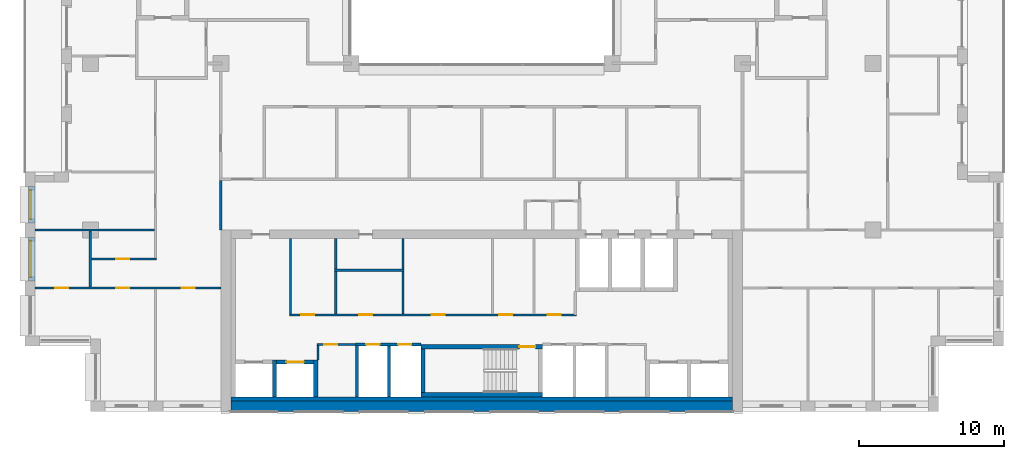
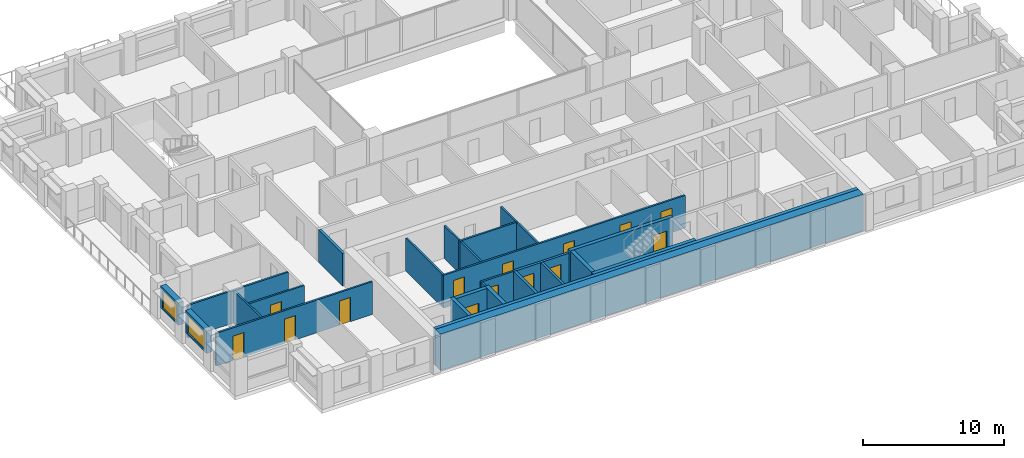
# One storey, part 8 of 16: 27 walls, 14 doors, 2 windows, 16 openings.
"""IFC4 building model written with IfcOpenShell, lengths in metres."""

import ifcopenshell
import ifcopenshell.guid

model = None  # the IFC model being written
_history = None  # IfcOwnerHistory: only IFC2X3 demands one
_inside = {}  # id of a spatial element -> (the spatial element, [elements in it])
_under = {}  # id of a project, library or spatial element -> (it, [spatial elements below it])
_declared = {}  # id of a project -> (the project, [libraries it declares])
_typed = {}  # id of a type object -> (the type object, [elements of that type])
_made_of = {}  # id of a material, layer set ... -> (it, [elements and type objects made of it])


def new_model(schema):
    """Start an empty IFC model of exactly this schema.

    Asked for "IFC4X3", IfcOpenShell would pick the latest addendum, in which some entities
    have other attributes; the version numbers below select the first issue.
    IFC2X3 requires an IfcOwnerHistory on every rooted entity: one is made here for all.
    """
    global model, _history
    if schema == "IFC4X3":
        model = ifcopenshell.file(schema_version=(4, 3, 0, 0))
    else:
        model = ifcopenshell.file(schema=schema)
    _inside.clear()
    _under.clear()
    _declared.clear()
    _typed.clear()
    _made_of.clear()
    _history = None
    if model.schema == "IFC2X3":
        org = make("IfcOrganization", Name="unknown")
        user = make(
            "IfcPersonAndOrganization",
            ThePerson=make("IfcPerson", FamilyName="unknown"),
            TheOrganization=org,
        )
        app = make(
            "IfcApplication",
            ApplicationDeveloper=org,
            Version="unknown",
            ApplicationFullName="unknown",
            ApplicationIdentifier="unknown",
        )
        _history = make(
            "IfcOwnerHistory",
            OwningUser=user,
            OwningApplication=app,
            ChangeAction="ADDED",
            CreationDate=0,
        )
    return model


def make(cls, **values):
    """One entity of the class cls with the attributes given. An attribute that is None is left unset."""
    return model.create_entity(
        cls, **{name: value for name, value in values.items() if value is not None}
    )


def rooted(cls, **values):
    """An entity with a GlobalId (a new one), such as an element, a storey or a relation."""
    return make(cls, GlobalId=ifcopenshell.guid.new(), OwnerHistory=_history, **values)


def si_unit(unit_type, name, prefix=None):
    """IfcSIUnit, for example si_unit("LENGTHUNIT", "METRE", prefix="MILLI")."""
    return make("IfcSIUnit", UnitType=unit_type, Prefix=prefix, Name=name)


def assignment(units):
    """IfcUnitAssignment: the units of a project."""
    return None if units is None else make("IfcUnitAssignment", Units=units)


def point(xyz):
    """IfcCartesianPoint."""
    return None if xyz is None else make("IfcCartesianPoint", Coordinates=xyz)


def direction(xyz):
    """IfcDirection."""
    return None if xyz is None else make("IfcDirection", DirectionRatios=xyz)


def frame(location, z_axis=None, x_axis=None):
    """IfcAxis2Placement3D, a coordinate frame: its origin and axes. An axis left out is left unset."""
    return make(
        "IfcAxis2Placement3D",
        Location=point(location),
        Axis=direction(z_axis),
        RefDirection=direction(x_axis),
    )


def frame_2d(location, x_axis=None):
    """IfcAxis2Placement2D, a coordinate frame in the plane: its origin and x axis."""
    return make(
        "IfcAxis2Placement2D", Location=point(location), RefDirection=direction(x_axis)
    )


def origin():
    """The frame at (0, 0, 0) with its axes left unset."""
    return frame((0.0, 0.0, 0.0))


def place(relative_to, where):
    """IfcLocalPlacement: puts the frame where relative to a parent placement (None: the world)."""
    return make(
        "IfcLocalPlacement", PlacementRelTo=relative_to, RelativePlacement=where
    )


def context(
    kind, dimensions, precision=None, world=None, true_north=None, identifier=None
):
    """IfcGeometricRepresentationContext, for example the 3D "Model" context."""
    return make(
        "IfcGeometricRepresentationContext",
        ContextIdentifier=identifier,
        ContextType=kind,
        CoordinateSpaceDimension=dimensions,
        Precision=precision,
        WorldCoordinateSystem=world,
        TrueNorth=true_north,
    )


def subcontext(parent, identifier, kind, view, scale=None):
    """IfcGeometricRepresentationSubContext, for example "Body" below "Model"."""
    return make(
        "IfcGeometricRepresentationSubContext",
        ContextIdentifier=identifier,
        ContextType=kind,
        ParentContext=parent,
        TargetScale=scale,
        TargetView=view,
    )


def project(units=None, contexts=None):
    """IfcProject with its units and contexts."""
    return rooted(
        "IfcProject",
        Name="project",
        RepresentationContexts=contexts,
        UnitsInContext=assignment(units),
    )


def spatial(cls, under=None, at=None, **own):
    """A site, building, storey or space (cls), placed at a placement, below another one or the project."""
    s = rooted(cls, ObjectPlacement=at, **own)
    if under is not None:
        _under.setdefault(under.id(), (under, []))[1].append(s)
    return s


def profile(cls, at=None, kind="AREA", **sizes):
    """A parametric profile (cls). Its sizes go by their IFC names, for example OverallWidth=200.0."""
    return make(cls, ProfileType=kind, Position=at, **sizes)


def rectangle(**sizes):
    """IfcRectangleProfileDef."""
    return profile("IfcRectangleProfileDef", **sizes)


def extrude(swept, where, along, depth):
    """IfcExtrudedAreaSolid: the profile swept, set in the frame where, extruded along a direction by depth."""
    return make(
        "IfcExtrudedAreaSolid",
        SweptArea=swept,
        Position=where,
        ExtrudedDirection=direction(along),
        Depth=depth,
    )


def shape(context_of_items, identifier, shape_type, items):
    """IfcShapeRepresentation: the items that make up one representation, for example the "Body"."""
    return make(
        "IfcShapeRepresentation",
        ContextOfItems=context_of_items,
        RepresentationIdentifier=identifier,
        RepresentationType=shape_type,
        Items=items,
    )


def material(Name=None, Category=None):
    """IfcMaterial."""
    return make("IfcMaterial", Name=Name, Category=Category)


def layer(
    of_material, thickness, ventilated=None, Name=None, Category=None, Priority=None
):
    """IfcMaterialLayer: one layer of a wall or slab, of a material (None: an air gap)."""
    return make(
        "IfcMaterialLayer",
        Material=of_material,
        LayerThickness=thickness,
        IsVentilated=ventilated,
        Name=Name,
        Category=Category,
        Priority=Priority,
    )


def layer_set(layers, Name=None):
    """IfcMaterialLayerSet."""
    return make("IfcMaterialLayerSet", MaterialLayers=layers, LayerSetName=Name)


def made_of(thing, what):
    """Note that an element or type object is made of a material, layer set ...; save() writes the relation."""
    if what is not None:
        _made_of.setdefault(what.id(), (what, []))[1].append(thing)
    return thing


def type_object(cls, material=None, **own):
    """A type object (cls), such as IfcWallType, which elements share."""
    return made_of(rooted(cls, **own), material)


def element(
    cls,
    number,
    at=None,
    inside=None,
    cuts=None,
    type_object=None,
    material=None,
    context=None,
    identifier="Body",
    shape_type=None,
    held_by="IfcProductDefinitionShape",
    body=None,
    shapes=None,
    **own,
):
    """One element of the class cls, such as IfcWall. Its Tag is "e" and its number.

    at: its placement. inside: the storey or other place that contains it. cuts: it is an
    opening in that element (IfcRelVoidsElement). A single representation is given by context,
    identifier, shape_type and body (its items); several are given by shapes. held_by: the class
    of the entity that holds the representations. save() writes the other relations.
    """
    e = rooted(cls, Tag="e%d" % number, ObjectPlacement=at, **own)
    if body is not None:
        shapes = [shape(context, identifier, shape_type, body)]
    if shapes is not None:
        e.Representation = make(held_by, Representations=shapes)
    if inside is not None:
        _inside.setdefault(inside.id(), (inside, []))[1].append(e)
    if cuts is not None:
        rooted(
            "IfcRelVoidsElement", RelatingBuildingElement=cuts, RelatedOpeningElement=e
        )
    if type_object is not None:
        _typed.setdefault(type_object.id(), (type_object, []))[1].append(e)
    return made_of(e, material)


def fill(opening, filler):
    """IfcRelFillsElement: the door or window that sits in an opening."""
    return rooted(
        "IfcRelFillsElement",
        RelatingOpeningElement=opening,
        RelatedBuildingElement=filler,
    )


def aggregate(whole, parts):
    """IfcRelAggregates: a whole, such as a stair, and the parts it consists of."""
    return rooted("IfcRelAggregates", RelatingObject=whole, RelatedObjects=parts)


def save(model, path):
    """Write the relations noted so far, then the file.

    IfcRelAggregates (storeys below a building ...), IfcRelContainedInSpatialStructure (elements
    in a storey), IfcRelDefinesByType, IfcRelAssociatesMaterial and IfcRelDeclares: one each for
    every whole, place, type object, material and project.
    """
    for whole, parts in _under.values():
        aggregate(whole, parts)
    for where, things in _inside.values():
        rooted(
            "IfcRelContainedInSpatialStructure",
            RelatedElements=things,
            RelatingStructure=where,
        )
    for kind, things in _typed.values():
        rooted("IfcRelDefinesByType", RelatedObjects=things, RelatingType=kind)
    for what, things in _made_of.values():
        rooted("IfcRelAssociatesMaterial", RelatedObjects=things, RelatingMaterial=what)
    for by, libraries in _declared.values():
        rooted("IfcRelDeclares", RelatingContext=by, RelatedDefinitions=libraries)
    model.write(path)


model = new_model("IFC4")

# Units and contexts
model_context = context("Model", 3, precision=1e-05, world=origin(), true_north=direction((0.0, 1.0)))
body_context = subcontext(model_context, "Body", "Model", "MODEL_VIEW")
ifc_project = project(units=[si_unit("LENGTHUNIT", "METRE"), si_unit("AREAUNIT", "SQUARE_METRE"), si_unit("VOLUMEUNIT", "CUBIC_METRE"), si_unit("PLANEANGLEUNIT", "RADIAN"), si_unit("MASSUNIT", "GRAM", prefix="KILO")], contexts=[model_context])

# Site, building, storey
site_placement = place(None, origin())
site = spatial("IfcSite", under=ifc_project, at=site_placement, CompositionType="ELEMENT")
building_placement = place(site_placement, origin())
building = spatial("IfcBuilding", under=site, at=building_placement, Name="Brigalow Station Residences", CompositionType="ELEMENT")
storey_placement = place(building_placement, frame((0.0, 0.0, 166.5)))
storey = spatial("IfcBuildingStorey", under=building, at=storey_placement, Name="L48", CompositionType="ELEMENT", Elevation=166.5)

# Wall, opening, window
ifc_material_1 = material(Name="Clay brick masonry", Category="masonry")
ifc_layer_1 = layer(ifc_material_1, 0.449951171875)
ifc_layer_set_1 = layer_set([ifc_layer_1], Name="BRICK INFILL WALL 450")
wall_type_1 = type_object("IfcWallType", Name="BRICK INFILL WALL 450", PredefinedType="SOLIDWALL", material=ifc_layer_set_1)
wall_1_placement = place(storey_placement, frame((4.97509765625, 15.5, 0.89990234375), z_axis=(0.0, 0.0, 1.0), x_axis=(0.0, -1.0, 0.0)))
wall_1 = element("IfcWall", 1, at=wall_1_placement, inside=storey, type_object=wall_type_1, Name="L48/ewall/W-L48-45", PredefinedType="SOLIDWALL", context=body_context, shape_type="SweptSolid", body=[
    extrude(rectangle(XDim=2.5, YDim=0.449951171875, at=frame_2d((1.25, 0.0))), origin(), (0.0, 0.0, 1.0), 1.93017578125),
])
opening_1_placement = place(wall_1_placement, frame((0.25, 0.0, 0.14990234375)))
opening_1 = element("IfcOpeningElement", 2, at=opening_1_placement, cuts=wall_1, Name="Opening WT-7", PredefinedType="OPENING", context=body_context, shape_type="SweptSolid", body=[
    extrude(rectangle(XDim=2.0, YDim=1.5, at=frame_2d((1.0, 0.75))), frame((0.0, 0.23486328125, 0.0), z_axis=(0.0, -1.0, 0.0), x_axis=(1.0, 0.0, 0.0)), (0.0, 0.0, 1.0), 0.469970703125),
])
ifc_material_2 = material(Name="Anodised aluminium frame with double glazing", Category="aluminium")
window_type_1 = type_object("IfcWindowType", Name="WINDOW 2000x1500", PartitioningType="SINGLE_PANEL", PredefinedType="WINDOW", material=ifc_material_2)
window_1_placement = place(opening_1_placement, origin())
window_1 = element("IfcWindow", 3, at=window_1_placement, inside=storey, type_object=window_type_1, Name="L48/window/W-L48-45", OverallHeight=1.5, OverallWidth=2.0, PartitioningType="SINGLE_PANEL", PredefinedType="WINDOW", context=body_context, shape_type="SweptSolid", body=[
    extrude(rectangle(XDim=2.0, YDim=1.5, at=frame_2d((1.0, 0.75))), frame((0.0, -0.06494140625, 0.0), z_axis=(0.0, -1.0, 0.0), x_axis=(1.0, 0.0, 0.0)), (0.0, 0.0, 1.0), 0.06005859375),
])
fill(opening_1, window_1)

wall_2_placement = place(storey_placement, frame((4.97509765625, 12.0, 0.89990234375), z_axis=(0.0, 0.0, 1.0), x_axis=(0.0, -1.0, 0.0)))
wall_2 = element("IfcWall", 4, at=wall_2_placement, inside=storey, type_object=wall_type_1, Name="L48/ewall/W-L48-46", PredefinedType="SOLIDWALL", context=body_context, shape_type="SweptSolid", body=[
    extrude(rectangle(XDim=3.0, YDim=0.449951171875, at=frame_2d((1.5, 0.0))), origin(), (0.0, 0.0, 1.0), 1.93017578125),
])
opening_2_placement = place(wall_2_placement, frame((0.25, 0.0, 0.14990234375)))
opening_2 = element("IfcOpeningElement", 5, at=opening_2_placement, cuts=wall_2, Name="Opening WT-5", PredefinedType="OPENING", context=body_context, shape_type="SweptSolid", body=[
    extrude(rectangle(XDim=2.5, YDim=1.5, at=frame_2d((1.25, 0.75))), frame((0.0, 0.23486328125, 0.0), z_axis=(0.0, -1.0, 0.0), x_axis=(1.0, 0.0, 0.0)), (0.0, 0.0, 1.0), 0.469970703125),
])
ifc_material_3 = material(Name="Anodised aluminium frame with double glazing", Category="aluminium")
window_type_2 = type_object("IfcWindowType", Name="WINDOW 2500x1500", PartitioningType="SINGLE_PANEL", PredefinedType="WINDOW", material=ifc_material_3)
window_2_placement = place(opening_2_placement, origin())
window_2 = element("IfcWindow", 6, at=window_2_placement, inside=storey, type_object=window_type_2, Name="L48/window/W-L48-46", OverallHeight=1.5, OverallWidth=2.5, PartitioningType="SINGLE_PANEL", PredefinedType="WINDOW", context=body_context, shape_type="SweptSolid", body=[
    extrude(rectangle(XDim=2.5, YDim=1.5, at=frame_2d((1.25, 0.75))), frame((0.0, -0.06494140625, 0.0), z_axis=(0.0, -1.0, 0.0), x_axis=(1.0, 0.0, 0.0)), (0.0, 0.0, 1.0), 0.06005859375),
])
fill(opening_2, window_2)

# Wall
ifc_material_4 = material(Name="Concrete C65", Category="concrete")
ifc_layer_2 = layer(ifc_material_4, 0.300048828125)
ifc_layer_set_2 = layer_set([ifc_layer_2], Name="CORE SHEAR WALL 300 C65")
wall_type_2 = type_object("IfcWallType", Name="CORE SHEAR WALL 300 C65", PredefinedType="SHEAR", material=ifc_layer_set_2)
wall_3_placement = place(storey_placement, frame((18.699951171875, 0.85009765625, 0.0), z_axis=(0.0, 0.0, 1.0), x_axis=(1.0, 0.0, 0.0)))
element("IfcWall", 7, at=wall_3_placement, inside=storey, type_object=wall_type_2, Name="CORE WALL LIN-S L48", PredefinedType="SHEAR", context=body_context, shape_type="SweptSolid", body=[
    extrude(rectangle(XDim=34.60009765625, YDim=0.300048828125, at=frame_2d((17.300048828125, 0.0))), origin(), (0.0, 0.0, 1.0), 3.14990234375),
])

# Wall, opening, door
wall_4_placement = place(storey_placement, frame((21.85009765625, 3.39990234375, 0.0), z_axis=(0.0, 0.0, 1.0), x_axis=(1.0, 0.0, 0.0)))
wall_4 = element("IfcWall", 8, at=wall_4_placement, inside=storey, type_object=wall_type_2, Name="CORE WALL SH-C2-N L48", PredefinedType="SHEAR", context=body_context, shape_type="SweptSolid", body=[
    extrude(rectangle(XDim=2.5498046875, YDim=0.300048828125, at=frame_2d((1.27490234375, 0.0))), origin(), (0.0, 0.0, 1.0), 3.14990234375),
])
opening_3_placement = place(wall_4_placement, frame((0.675048828125, 0.0, 0.0)))
opening_3 = element("IfcOpeningElement", 9, at=opening_3_placement, cuts=wall_4, Name="Opening LD-LB2", PredefinedType="OPENING", context=body_context, shape_type="SweptSolid", body=[
    extrude(rectangle(XDim=1.199951171875, YDim=2.10009765625, at=frame_2d((0.60009765625, 1.050048828125))), frame((0.0, 0.16015625, 0.0), z_axis=(0.0, -1.0, 0.0), x_axis=(1.0, 0.0, 0.0)), (0.0, 0.0, 1.0), 0.320068359375),
])
ifc_material_5 = material(Name="Stainless steel sliding door leaves", Category="steel")
door_type_1 = type_object("IfcDoorType", Name="LIFT LANDING DOOR 1200 x 2100", OperationType="DOUBLE_DOOR_SLIDING", PredefinedType="DOOR", material=ifc_material_5)
door_1_placement = place(opening_3_placement, origin())
door_1 = element("IfcDoor", 10, at=door_1_placement, inside=storey, type_object=door_type_1, Name="LANDING DOOR LB2", OperationType="DOUBLE_DOOR_SLIDING", OverallHeight=2.10009765625, OverallWidth=1.199951171875, PredefinedType="DOOR", context=body_context, shape_type="SweptSolid", body=[
    extrude(rectangle(XDim=1.199951171875, YDim=2.10009765625, at=frame_2d((0.60009765625, 1.050048828125))), frame((0.0, 0.02490234375, 0.0), z_axis=(0.0, -1.0, 0.0), x_axis=(1.0, 0.0, 0.0)), (0.0, 0.0, 1.0), 0.050048828125),
])
fill(opening_3, door_1)

# Walls
for number, where, z_axis, x_axis, name in (
    (11, (21.699951171875, 1.0, 0.0), (0.0, 0.0, 1.0), (0.0, 1.0, 0.0), "CORE WALL SH-C2-W L48"),
    (12, (24.550048828125, 1.0, 0.0), (0.0, 0.0, 1.0), (0.0, 1.0, 0.0), "CORE WALL SH-C2-E L48"),
):
    element("IfcWall", number, at=place(storey_placement, frame(where, z_axis=z_axis, x_axis=x_axis)), inside=storey, type_object=wall_type_2, Name=name, PredefinedType="SHEAR", context=body_context, shape_type="SweptSolid", body=[
        extrude(rectangle(XDim=2.550048828125, YDim=0.300048828125, at=frame_2d((1.27490234375, 0.0))), origin(), (0.0, 0.0, 1.0), 3.14990234375),
    ])
wall_5_placement = place(storey_placement, frame((31.800048828125, 1.14990234375, 0.0), z_axis=(0.0, 0.0, 1.0), x_axis=(1.0, 0.0, 0.0)))
element("IfcWall", 13, at=wall_5_placement, inside=storey, type_object=wall_type_2, Name="CORE WALL ST-S2-S L48", PredefinedType="SHEAR", context=body_context, shape_type="SweptSolid", body=[
    extrude(rectangle(XDim=8.39990234375, YDim=0.300048828125, at=frame_2d((4.199951171875, 0.0))), origin(), (0.0, 0.0, 1.0), 3.14990234375),
])

# Wall, opening, door
wall_6_placement = place(storey_placement, frame((31.800048828125, 4.449951171875, 0.0), z_axis=(0.0, 0.0, 1.0), x_axis=(1.0, 0.0, 0.0)))
wall_6 = element("IfcWall", 14, at=wall_6_placement, inside=storey, type_object=wall_type_2, Name="CORE WALL ST-S2-N L48", PredefinedType="SHEAR", context=body_context, shape_type="SweptSolid", body=[
    extrude(rectangle(XDim=8.39990234375, YDim=0.300048828125, at=frame_2d((4.199951171875, 0.0))), origin(), (0.0, 0.0, 1.0), 3.14990234375),
])
opening_4_placement = place(wall_6_placement, frame((6.800048828125, 0.0, 0.0)))
opening_4 = element("IfcOpeningElement", 15, at=opening_4_placement, cuts=wall_6, Name="Opening D-5001", PredefinedType="OPENING", context=body_context, shape_type="SweptSolid", body=[
    extrude(rectangle(XDim=1.10009765625, YDim=2.10009765625, at=frame_2d((0.550048828125, 1.050048828125))), frame((0.0, 0.16015625, 0.0), z_axis=(0.0, -1.0, 0.0), x_axis=(1.0, 0.0, 0.0)), (0.0, 0.0, 1.0), 0.320068359375),
])
ifc_material_6 = material(Name="Steel fire door leaf in steel frame", Category="steel")
door_type_2 = type_object("IfcDoorType", Name="STAIR DOOR 1100 x 2100 FD60S", OperationType="SINGLE_SWING_LEFT", PredefinedType="DOOR", material=ifc_material_6)
door_2_placement = place(opening_4_placement, frame((1.10009765625, 0.0, 0.0), z_axis=(0.0, 0.0, 1.0), x_axis=(-1.0, 0.0, 0.0)))
door_2 = element("IfcDoor", 16, at=door_2_placement, inside=storey, type_object=door_type_2, Name="D-5001", OperationType="SINGLE_SWING_LEFT", OverallHeight=2.10009765625, OverallWidth=1.10009765625, PredefinedType="DOOR", context=body_context, shape_type="SweptSolid", body=[
    extrude(rectangle(XDim=1.10009765625, YDim=2.10009765625, at=frame_2d((0.550048828125, 1.050048828125))), frame((0.0, 0.02490234375, 0.0), z_axis=(0.0, -1.0, 0.0), x_axis=(1.0, 0.0, 0.0)), (0.0, 0.0, 1.0), 0.050048828125),
])
fill(opening_4, door_2)

# Walls
wall_7_placement = place(storey_placement, frame((31.949951171875, 1.300048828125, 0.0), z_axis=(0.0, 0.0, 1.0), x_axis=(0.0, 1.0, 0.0)))
element("IfcWall", 17, at=wall_7_placement, inside=storey, type_object=wall_type_2, Name="CORE WALL ST-S2-W L48", PredefinedType="SHEAR", context=body_context, shape_type="SweptSolid", body=[
    extrude(rectangle(XDim=3.0, YDim=0.300048828125, at=frame_2d((1.5, 0.0))), origin(), (0.0, 0.0, 1.0), 3.14990234375),
])
ifc_material_7 = material(Name="Concrete C65", Category="concrete")
ifc_layer_3 = layer(ifc_material_7, 0.699951171875)
ifc_layer_set_3 = layer_set([ifc_layer_3], Name="CORE SHEAR WALL 700 C65")
wall_type_3 = type_object("IfcWallType", Name="CORE SHEAR WALL 700 C65", PredefinedType="SHEAR", material=ifc_layer_set_3)
wall_8_placement = place(storey_placement, frame((18.699951171875, 0.35009765625, 0.0), z_axis=(0.0, 0.0, 1.0), x_axis=(1.0, 0.0, 0.0)))
element("IfcWall", 18, at=wall_8_placement, inside=storey, type_object=wall_type_3, Name="CORE WALL OUT-S L48", PredefinedType="SHEAR", context=body_context, shape_type="SweptSolid", body=[
    extrude(rectangle(XDim=34.60009765625, YDim=0.699951171875, at=frame_2d((17.300048828125, 0.0))), origin(), (0.0, 0.0, 1.0), 3.14990234375),
])

# Wall, openings, doors
ifc_material_8 = material(Name="Concrete blockwork", Category="masonry")
ifc_layer_4 = layer(ifc_material_8, 0.199951171875)
ifc_layer_set_4 = layer_set([ifc_layer_4], Name="FIRE RATED CORE PARTITION 200")
wall_type_4 = type_object("IfcWallType", Name="FIRE RATED CORE PARTITION 200", PredefinedType="PARTITIONING", material=ifc_layer_set_4)
wall_9_placement = place(storey_placement, frame((27.300048828125, 4.60009765625, 0.0), z_axis=(0.0, 0.0, 1.0), x_axis=(1.0, 0.0, 0.0)))
wall_9 = element("IfcWall", 19, at=wall_9_placement, inside=storey, type_object=wall_type_4, Name="PW-5017", PredefinedType="PARTITIONING", context=body_context, shape_type="SweptSolid", body=[
    extrude(rectangle(XDim=4.5, YDim=0.199951171875, at=frame_2d((2.25, 0.0))), origin(), (0.0, 0.0, 1.0), 2.830078125),
])
opening_5_placement = place(wall_9_placement, frame((0.75, 0.0, 0.0)))
opening_5 = element("IfcOpeningElement", 20, at=opening_5_placement, cuts=wall_9, Name="Opening D-5007", PredefinedType="OPENING", context=body_context, shape_type="SweptSolid", body=[
    extrude(rectangle(XDim=0.89990234375, YDim=2.10009765625, at=frame_2d((0.449951171875, 1.050048828125))), frame((0.0, 0.10986328125, 0.0), z_axis=(0.0, -1.0, 0.0), x_axis=(1.0, 0.0, 0.0)), (0.0, 0.0, 1.0), 0.219970703125),
])
opening_6_placement = place(wall_9_placement, frame((2.949951171875, 0.0, 0.0)))
opening_6 = element("IfcOpeningElement", 21, at=opening_6_placement, cuts=wall_9, Name="Opening D-5008", PredefinedType="OPENING", context=body_context, shape_type="SweptSolid", body=[
    extrude(rectangle(XDim=0.89990234375, YDim=2.10009765625, at=frame_2d((0.449951171875, 1.050048828125))), frame((0.0, 0.10986328125, 0.0), z_axis=(0.0, -1.0, 0.0), x_axis=(1.0, 0.0, 0.0)), (0.0, 0.0, 1.0), 0.219970703125),
])
ifc_material_9 = material(Name="Steel fire door leaf in steel frame", Category="steel")
door_type_3 = type_object("IfcDoorType", Name="RISER ACCESS DOOR 900 x 2100 FD120", OperationType="SINGLE_SWING_LEFT", PredefinedType="DOOR", material=ifc_material_9)
door_3_placement = place(opening_5_placement, frame((0.89990234375, 0.0, 0.0), z_axis=(0.0, 0.0, 1.0), x_axis=(-1.0, 0.0, 0.0)))
door_3 = element("IfcDoor", 22, at=door_3_placement, inside=storey, type_object=door_type_3, Name="D-5007", OperationType="SINGLE_SWING_RIGHT", OverallHeight=2.10009765625, OverallWidth=0.89990234375, PredefinedType="DOOR", context=body_context, shape_type="SweptSolid", body=[
    extrude(rectangle(XDim=0.89990234375, YDim=2.10009765625, at=frame_2d((0.449951171875, 1.050048828125))), frame((0.0, 0.02490234375, 0.0), z_axis=(0.0, -1.0, 0.0), x_axis=(1.0, 0.0, 0.0)), (0.0, 0.0, 1.0), 0.050048828125),
])
fill(opening_5, door_3)
door_4_placement = place(opening_6_placement, frame((0.89990234375, 0.0, 0.0), z_axis=(0.0, 0.0, 1.0), x_axis=(-1.0, 0.0, 0.0)))
door_4 = element("IfcDoor", 23, at=door_4_placement, inside=storey, type_object=door_type_3, Name="D-5008", OperationType="SINGLE_SWING_RIGHT", OverallHeight=2.10009765625, OverallWidth=0.89990234375, PredefinedType="DOOR", context=body_context, shape_type="SweptSolid", body=[
    extrude(rectangle(XDim=0.89990234375, YDim=2.10009765625, at=frame_2d((0.449951171875, 1.050048828125))), frame((0.0, 0.02490234375, 0.0), z_axis=(0.0, -1.0, 0.0), x_axis=(1.0, 0.0, 0.0)), (0.0, 0.0, 1.0), 0.050048828125),
])
fill(opening_6, door_4)

# Walls
wall_10_placement = place(storey_placement, frame((27.39990234375, 1.0, 0.0), z_axis=(0.0, 0.0, 1.0), x_axis=(0.0, 1.0, 0.0)))
element("IfcWall", 24, at=wall_10_placement, inside=storey, type_object=wall_type_4, Name="PW-5027", PredefinedType="PARTITIONING", context=body_context, shape_type="SweptSolid", body=[
    extrude(rectangle(XDim=3.52490234375, YDim=0.199951171875, at=frame_2d((1.762451171875, 0.0))), origin(), (0.0, 0.0, 1.0), 2.830078125),
])
wall_11_placement = place(storey_placement, frame((29.60009765625, 1.0, 0.0), z_axis=(0.0, 0.0, 1.0), x_axis=(0.0, 1.0, 0.0)))
element("IfcWall", 25, at=wall_11_placement, inside=storey, type_object=wall_type_4, Name="PW-5006", PredefinedType="PARTITIONING", context=body_context, shape_type="SweptSolid", body=[
    extrude(rectangle(XDim=3.5, YDim=0.199951171875, at=frame_2d((1.75, 0.0))), origin(), (0.0, 0.0, 1.0), 2.830078125),
])
wall_12_placement = place(storey_placement, frame((18.0, 12.5, 0.0), z_axis=(0.0, 0.0, 1.0), x_axis=(0.0, 1.0, 0.0)))
element("IfcWall", 26, at=wall_12_placement, inside=storey, type_object=wall_type_4, Name="PW-5013", PredefinedType="PARTITIONING", context=body_context, shape_type="SweptSolid", body=[
    extrude(rectangle(XDim=3.39990234375, YDim=0.199951171875, at=frame_2d((1.699951171875, 0.0))), origin(), (0.0, 0.0, 1.0), 2.830078125),
])

# Wall, openings, doors
ifc_material_10 = material(Name="Plasterboard on steel stud partition", Category="steel")
ifc_layer_5 = layer(ifc_material_10, 0.14990234375)
ifc_layer_set_5 = layer_set([ifc_layer_5], Name="FLAT PARTITION 150")
wall_type_5 = type_object("IfcWallType", Name="FLAT PARTITION 150", PredefinedType="PARTITIONING", material=ifc_layer_set_5)
wall_13_placement = place(storey_placement, frame((5.199951171875, 8.5, 0.0), z_axis=(0.0, 0.0, 1.0), x_axis=(1.0, 0.0, 0.0)))
wall_13 = element("IfcWall", 27, at=wall_13_placement, inside=storey, type_object=wall_type_5, Name="PW-3D08", PredefinedType="PARTITIONING", context=body_context, shape_type="SweptSolid", body=[
    extrude(rectangle(XDim=12.800048828125, YDim=0.14990234375, at=frame_2d((6.39990234375, 0.0))), origin(), (0.0, 0.0, 1.0), 2.830078125),
])
opening_7_placement = place(wall_13_placement, frame((10.10009765625, 0.0, 0.0)))
opening_7 = element("IfcOpeningElement", 28, at=opening_7_placement, cuts=wall_13, Name="Opening D-3D04", PredefinedType="OPENING", context=body_context, shape_type="SweptSolid", body=[
    extrude(rectangle(XDim=0.89990234375, YDim=2.10009765625, at=frame_2d((0.449951171875, 1.050048828125))), frame((0.0, 0.0849609375, 0.0), z_axis=(0.0, -1.0, 0.0), x_axis=(1.0, 0.0, 0.0)), (0.0, 0.0, 1.0), 0.169921875),
])
opening_8_placement = place(wall_13_placement, frame((5.60009765625, 0.0, 0.0)))
opening_8 = element("IfcOpeningElement", 29, at=opening_8_placement, cuts=wall_13, Name="Opening D-3D05", PredefinedType="OPENING", context=body_context, shape_type="SweptSolid", body=[
    extrude(rectangle(XDim=0.89990234375, YDim=2.10009765625, at=frame_2d((0.449951171875, 1.050048828125))), frame((0.0, 0.0849609375, 0.0), z_axis=(0.0, -1.0, 0.0), x_axis=(1.0, 0.0, 0.0)), (0.0, 0.0, 1.0), 0.169921875),
])
opening_9_placement = place(wall_13_placement, frame((1.375, 0.0, 0.0)))
opening_9 = element("IfcOpeningElement", 30, at=opening_9_placement, cuts=wall_13, Name="Opening D-3D06", PredefinedType="OPENING", context=body_context, shape_type="SweptSolid", body=[
    extrude(rectangle(XDim=0.89990234375, YDim=2.10009765625, at=frame_2d((0.449951171875, 1.050048828125))), frame((0.0, 0.0849609375, 0.0), z_axis=(0.0, -1.0, 0.0), x_axis=(1.0, 0.0, 0.0)), (0.0, 0.0, 1.0), 0.169921875),
])
ifc_material_11 = material(Name="Solid-core timber door leaf", Category="wood")
door_type_4 = type_object("IfcDoorType", Name="INTERNAL DOOR 900 x 2100", OperationType="SINGLE_SWING_LEFT", PredefinedType="DOOR", material=ifc_material_11)
door_5_placement = place(opening_7_placement, frame((0.89990234375, 0.0, 0.0), z_axis=(0.0, 0.0, 1.0), x_axis=(-1.0, 0.0, 0.0)))
door_5 = element("IfcDoor", 31, at=door_5_placement, inside=storey, type_object=door_type_4, Name="D-3D04", OperationType="SINGLE_SWING_RIGHT", OverallHeight=2.10009765625, OverallWidth=0.89990234375, PredefinedType="DOOR", context=body_context, shape_type="SweptSolid", body=[
    extrude(rectangle(XDim=0.89990234375, YDim=2.10009765625, at=frame_2d((0.449951171875, 1.050048828125))), frame((0.0, 0.02490234375, 0.0), z_axis=(0.0, -1.0, 0.0), x_axis=(1.0, 0.0, 0.0)), (0.0, 0.0, 1.0), 0.050048828125),
])
fill(opening_7, door_5)
door_6_placement = place(opening_8_placement, frame((0.89990234375, 0.0, 0.0), z_axis=(0.0, 0.0, 1.0), x_axis=(-1.0, 0.0, 0.0)))
door_6 = element("IfcDoor", 32, at=door_6_placement, inside=storey, type_object=door_type_4, Name="D-3D05", OperationType="SINGLE_SWING_LEFT", OverallHeight=2.10009765625, OverallWidth=0.89990234375, PredefinedType="DOOR", context=body_context, shape_type="SweptSolid", body=[
    extrude(rectangle(XDim=0.89990234375, YDim=2.10009765625, at=frame_2d((0.449951171875, 1.050048828125))), frame((0.0, 0.02490234375, 0.0), z_axis=(0.0, -1.0, 0.0), x_axis=(1.0, 0.0, 0.0)), (0.0, 0.0, 1.0), 0.050048828125),
])
fill(opening_8, door_6)
door_7_placement = place(opening_9_placement, origin())
door_7 = element("IfcDoor", 33, at=door_7_placement, inside=storey, type_object=door_type_4, Name="D-3D06", OperationType="SINGLE_SWING_LEFT", OverallHeight=2.10009765625, OverallWidth=0.89990234375, PredefinedType="DOOR", context=body_context, shape_type="SweptSolid", body=[
    extrude(rectangle(XDim=0.89990234375, YDim=2.10009765625, at=frame_2d((0.449951171875, 1.050048828125))), frame((0.0, 0.02490234375, 0.0), z_axis=(0.0, -1.0, 0.0), x_axis=(1.0, 0.0, 0.0)), (0.0, 0.0, 1.0), 0.050048828125),
])
fill(opening_9, door_7)

# Wall
wall_14_placement = place(storey_placement, frame((5.199951171875, 12.5, 0.0), z_axis=(0.0, 0.0, 1.0), x_axis=(1.0, 0.0, 0.0)))
element("IfcWall", 34, at=wall_14_placement, inside=storey, type_object=wall_type_5, Name="PW-3D10", PredefinedType="PARTITIONING", context=body_context, shape_type="SweptSolid", body=[
    extrude(rectangle(XDim=8.22509765625, YDim=0.14990234375, at=frame_2d((4.112548828125, 0.0))), origin(), (0.0, 0.0, 1.0), 2.830078125),
])

# Wall, opening, door
wall_15_placement = place(storey_placement, frame((9.074951171875, 10.5, 0.0), z_axis=(0.0, 0.0, 1.0), x_axis=(1.0, 0.0, 0.0)))
wall_15 = element("IfcWall", 35, at=wall_15_placement, inside=storey, type_object=wall_type_5, Name="PW-3D12", PredefinedType="PARTITIONING", context=body_context, shape_type="SweptSolid", body=[
    extrude(rectangle(XDim=4.5, YDim=0.14990234375, at=frame_2d((2.25, 0.0))), origin(), (0.0, 0.0, 1.0), 2.830078125),
])
opening_10_placement = place(wall_15_placement, frame((1.72509765625, 0.0, 0.0)))
opening_10 = element("IfcOpeningElement", 36, at=opening_10_placement, cuts=wall_15, Name="Opening D-3D07", PredefinedType="OPENING", context=body_context, shape_type="SweptSolid", body=[
    extrude(rectangle(XDim=0.89990234375, YDim=2.10009765625, at=frame_2d((0.449951171875, 1.050048828125))), frame((0.0, 0.0849609375, 0.0), z_axis=(0.0, -1.0, 0.0), x_axis=(1.0, 0.0, 0.0)), (0.0, 0.0, 1.0), 0.169921875),
])
door_8_placement = place(opening_10_placement, origin())
door_8 = element("IfcDoor", 37, at=door_8_placement, inside=storey, type_object=door_type_4, Name="D-3D07", OperationType="SINGLE_SWING_LEFT", OverallHeight=2.10009765625, OverallWidth=0.89990234375, PredefinedType="DOOR", context=body_context, shape_type="SweptSolid", body=[
    extrude(rectangle(XDim=0.89990234375, YDim=2.10009765625, at=frame_2d((0.449951171875, 1.050048828125))), frame((0.0, 0.02490234375, 0.0), z_axis=(0.0, -1.0, 0.0), x_axis=(1.0, 0.0, 0.0)), (0.0, 0.0, 1.0), 0.050048828125),
])
fill(opening_10, door_8)

# Wall
wall_16_placement = place(storey_placement, frame((9.0, 8.574951171875, 0.0), z_axis=(0.0, 0.0, 1.0), x_axis=(0.0, 1.0, 0.0)))
element("IfcWall", 38, at=wall_16_placement, inside=storey, type_object=wall_type_5, Name="PW-3D38", PredefinedType="PARTITIONING", context=body_context, shape_type="SweptSolid", body=[
    extrude(rectangle(XDim=3.85009765625, YDim=0.14990234375, at=frame_2d((1.925048828125, 0.0))), origin(), (0.0, 0.0, 1.0), 2.830078125),
])

# Wall, opening, door
ifc_material_12 = material(Name="Plasterboard on steel studs", Category="steel")
ifc_layer_6 = layer(ifc_material_12, 0.14990234375)
ifc_layer_set_6 = layer_set([ifc_layer_6], Name="SERVICE ROOM PARTITION 150")
wall_type_6 = type_object("IfcWallType", Name="SERVICE ROOM PARTITION 150", PredefinedType="PARTITIONING", material=ifc_layer_set_6)
wall_17_placement = place(storey_placement, frame((24.625, 4.60009765625, 0.0), z_axis=(0.0, 0.0, 1.0), x_axis=(1.0, 0.0, 0.0)))
wall_17 = element("IfcWall", 39, at=wall_17_placement, inside=storey, type_object=wall_type_6, Name="PW-5155", PredefinedType="PARTITIONING", context=body_context, shape_type="SweptSolid", body=[
    extrude(rectangle(XDim=2.675048828125, YDim=0.14990234375, at=frame_2d((1.33740234375, 0.0))), origin(), (0.0, 0.0, 1.0), 2.830078125),
])
opening_11_placement = place(wall_17_placement, frame((0.52490234375, 0.0, 0.0)))
opening_11 = element("IfcOpeningElement", 40, at=opening_11_placement, cuts=wall_17, Name="Opening D-5087", PredefinedType="OPENING", context=body_context, shape_type="SweptSolid", body=[
    extrude(rectangle(XDim=0.89990234375, YDim=2.10009765625, at=frame_2d((0.449951171875, 1.050048828125))), frame((0.0, 0.0849609375, 0.0), z_axis=(0.0, -1.0, 0.0), x_axis=(1.0, 0.0, 0.0)), (0.0, 0.0, 1.0), 0.169921875),
])
ifc_material_13 = material(Name="Steel door leaf in steel frame", Category="steel")
door_type_5 = type_object("IfcDoorType", Name="SERVICE ROOM DOOR 900 x 2100 FD60", OperationType="SINGLE_SWING_LEFT", PredefinedType="DOOR", material=ifc_material_13)
door_9_placement = place(opening_11_placement, frame((0.89990234375, 0.0, 0.0), z_axis=(0.0, 0.0, 1.0), x_axis=(-1.0, 0.0, 0.0)))
door_9 = element("IfcDoor", 41, at=door_9_placement, inside=storey, type_object=door_type_5, Name="D-5087", OperationType="SINGLE_SWING_RIGHT", OverallHeight=2.10009765625, OverallWidth=0.89990234375, PredefinedType="DOOR", context=body_context, shape_type="SweptSolid", body=[
    extrude(rectangle(XDim=0.89990234375, YDim=2.10009765625, at=frame_2d((0.449951171875, 1.050048828125))), frame((0.0, 0.02490234375, 0.0), z_axis=(0.0, -1.0, 0.0), x_axis=(1.0, 0.0, 0.0)), (0.0, 0.0, 1.0), 0.050048828125),
])
fill(opening_11, door_9)

# Wall, openings, doors
wall_18_placement = place(storey_placement, frame((22.72509765625, 6.64990234375, 0.0), z_axis=(0.0, 0.0, 1.0), x_axis=(1.0, 0.0, 0.0)))
wall_18 = element("IfcWall", 42, at=wall_18_placement, inside=storey, type_object=wall_type_6, Name="PW-5195", PredefinedType="PARTITIONING", context=body_context, shape_type="SweptSolid", body=[
    extrude(rectangle(XDim=19.7998046875, YDim=0.14990234375, at=frame_2d((9.89990234375, 0.0))), origin(), (0.0, 0.0, 1.0), 2.830078125),
])
opening_12_placement = place(wall_18_placement, frame((0.824951171875, 0.0, 0.0)))
opening_12 = element("IfcOpeningElement", 43, at=opening_12_placement, cuts=wall_18, Name="Opening D-5110", PredefinedType="OPENING", context=body_context, shape_type="SweptSolid", body=[
    extrude(rectangle(XDim=0.89990234375, YDim=2.10009765625, at=frame_2d((0.449951171875, 1.050048828125))), frame((0.0, 0.0849609375, 0.0), z_axis=(0.0, -1.0, 0.0), x_axis=(1.0, 0.0, 0.0)), (0.0, 0.0, 1.0), 0.169921875),
])
opening_13_placement = place(wall_18_placement, frame((4.824951171875, 0.0, 0.0)))
opening_13 = element("IfcOpeningElement", 44, at=opening_13_placement, cuts=wall_18, Name="Opening D-5116", PredefinedType="OPENING", context=body_context, shape_type="SweptSolid", body=[
    extrude(rectangle(XDim=0.89990234375, YDim=2.10009765625, at=frame_2d((0.449951171875, 1.050048828125))), frame((0.0, 0.0849609375, 0.0), z_axis=(0.0, -1.0, 0.0), x_axis=(1.0, 0.0, 0.0)), (0.0, 0.0, 1.0), 0.169921875),
])
opening_14_placement = place(wall_18_placement, frame((9.824951171875, 0.0, 0.0)))
opening_14 = element("IfcOpeningElement", 45, at=opening_14_placement, cuts=wall_18, Name="Opening D-5117", PredefinedType="OPENING", context=body_context, shape_type="SweptSolid", body=[
    extrude(rectangle(XDim=0.89990234375, YDim=2.10009765625, at=frame_2d((0.449951171875, 1.050048828125))), frame((0.0, 0.0849609375, 0.0), z_axis=(0.0, -1.0, 0.0), x_axis=(1.0, 0.0, 0.0)), (0.0, 0.0, 1.0), 0.169921875),
])
opening_15_placement = place(wall_18_placement, frame((14.47509765625, 0.0, 0.0)))
opening_15 = element("IfcOpeningElement", 46, at=opening_15_placement, cuts=wall_18, Name="Opening D-5114", PredefinedType="OPENING", context=body_context, shape_type="SweptSolid", body=[
    extrude(rectangle(XDim=0.89990234375, YDim=2.10009765625, at=frame_2d((0.449951171875, 1.050048828125))), frame((0.0, 0.0849609375, 0.0), z_axis=(0.0, -1.0, 0.0), x_axis=(1.0, 0.0, 0.0)), (0.0, 0.0, 1.0), 0.169921875),
])
opening_16_placement = place(wall_18_placement, frame((17.824951171875, 0.0, 0.0)))
opening_16 = element("IfcOpeningElement", 47, at=opening_16_placement, cuts=wall_18, Name="Opening D-5115", PredefinedType="OPENING", context=body_context, shape_type="SweptSolid", body=[
    extrude(rectangle(XDim=0.89990234375, YDim=2.10009765625, at=frame_2d((0.449951171875, 1.050048828125))), frame((0.0, 0.0849609375, 0.0), z_axis=(0.0, -1.0, 0.0), x_axis=(1.0, 0.0, 0.0)), (0.0, 0.0, 1.0), 0.169921875),
])
door_10_placement = place(opening_12_placement, origin())
door_10 = element("IfcDoor", 48, at=door_10_placement, inside=storey, type_object=door_type_5, Name="D-5110", OperationType="SINGLE_SWING_LEFT", OverallHeight=2.10009765625, OverallWidth=0.89990234375, PredefinedType="DOOR", context=body_context, shape_type="SweptSolid", body=[
    extrude(rectangle(XDim=0.89990234375, YDim=2.10009765625, at=frame_2d((0.449951171875, 1.050048828125))), frame((0.0, 0.02490234375, 0.0), z_axis=(0.0, -1.0, 0.0), x_axis=(1.0, 0.0, 0.0)), (0.0, 0.0, 1.0), 0.050048828125),
])
fill(opening_12, door_10)
door_11_placement = place(opening_13_placement, origin())
door_11 = element("IfcDoor", 49, at=door_11_placement, inside=storey, type_object=door_type_5, Name="D-5116", OperationType="SINGLE_SWING_LEFT", OverallHeight=2.10009765625, OverallWidth=0.89990234375, PredefinedType="DOOR", context=body_context, shape_type="SweptSolid", body=[
    extrude(rectangle(XDim=0.89990234375, YDim=2.10009765625, at=frame_2d((0.449951171875, 1.050048828125))), frame((0.0, 0.02490234375, 0.0), z_axis=(0.0, -1.0, 0.0), x_axis=(1.0, 0.0, 0.0)), (0.0, 0.0, 1.0), 0.050048828125),
])
fill(opening_13, door_11)
door_12_placement = place(opening_14_placement, origin())
door_12 = element("IfcDoor", 50, at=door_12_placement, inside=storey, type_object=door_type_5, Name="D-5117", OperationType="SINGLE_SWING_LEFT", OverallHeight=2.10009765625, OverallWidth=0.89990234375, PredefinedType="DOOR", context=body_context, shape_type="SweptSolid", body=[
    extrude(rectangle(XDim=0.89990234375, YDim=2.10009765625, at=frame_2d((0.449951171875, 1.050048828125))), frame((0.0, 0.02490234375, 0.0), z_axis=(0.0, -1.0, 0.0), x_axis=(1.0, 0.0, 0.0)), (0.0, 0.0, 1.0), 0.050048828125),
])
fill(opening_14, door_12)
door_13_placement = place(opening_15_placement, origin())
door_13 = element("IfcDoor", 51, at=door_13_placement, inside=storey, type_object=door_type_5, Name="D-5114", OperationType="SINGLE_SWING_LEFT", OverallHeight=2.10009765625, OverallWidth=0.89990234375, PredefinedType="DOOR", context=body_context, shape_type="SweptSolid", body=[
    extrude(rectangle(XDim=0.89990234375, YDim=2.10009765625, at=frame_2d((0.449951171875, 1.050048828125))), frame((0.0, 0.02490234375, 0.0), z_axis=(0.0, -1.0, 0.0), x_axis=(1.0, 0.0, 0.0)), (0.0, 0.0, 1.0), 0.050048828125),
])
fill(opening_15, door_13)
door_14_placement = place(opening_16_placement, origin())
door_14 = element("IfcDoor", 52, at=door_14_placement, inside=storey, type_object=door_type_5, Name="D-5115", OperationType="SINGLE_SWING_LEFT", OverallHeight=2.10009765625, OverallWidth=0.89990234375, PredefinedType="DOOR", context=body_context, shape_type="SweptSolid", body=[
    extrude(rectangle(XDim=0.89990234375, YDim=2.10009765625, at=frame_2d((0.449951171875, 1.050048828125))), frame((0.0, 0.02490234375, 0.0), z_axis=(0.0, -1.0, 0.0), x_axis=(1.0, 0.0, 0.0)), (0.0, 0.0, 1.0), 0.050048828125),
])
fill(opening_16, door_14)

# Walls
wall_19_placement = place(storey_placement, frame((25.85498046875, 9.72998046875, 0.0), z_axis=(0.0, 0.0, 1.0), x_axis=(1.0, 0.0, 0.0)))
element("IfcWall", 53, at=wall_19_placement, inside=storey, type_object=wall_type_6, Name="PW-5224", PredefinedType="PARTITIONING", context=body_context, shape_type="SweptSolid", body=[
    extrude(rectangle(XDim=4.7900390625, YDim=0.14990234375, at=frame_2d((2.39501953125, 0.0))), origin(), (0.0, 0.0, 1.0), 2.830078125),
])
wall_20_placement = place(storey_placement, frame((24.699951171875, 3.550048828125, 0.0), z_axis=(0.0, 0.0, 1.0), x_axis=(0.0, 1.0, 0.0)))
element("IfcWall", 54, at=wall_20_placement, inside=storey, type_object=wall_type_6, Name="PW-5157", PredefinedType="PARTITIONING", context=body_context, shape_type="SweptSolid", body=[
    extrude(rectangle(XDim=0.974853515625, YDim=0.14990234375, at=frame_2d((0.4873046875, 0.0))), origin(), (0.0, 0.0, 1.0), 2.830078125),
])
wall_21_placement = place(storey_placement, frame((22.800048828125, 6.72509765625, 0.0), z_axis=(0.0, 0.0, 1.0), x_axis=(0.0, 1.0, 0.0)))
element("IfcWall", 55, at=wall_21_placement, inside=storey, type_object=wall_type_6, Name="PW-5197", PredefinedType="PARTITIONING", context=body_context, shape_type="SweptSolid", body=[
    extrude(rectangle(XDim=5.1748046875, YDim=0.14990234375, at=frame_2d((2.58740234375, 0.0))), origin(), (0.0, 0.0, 1.0), 2.830078125),
])
for number, where, z_axis, x_axis, name in (
    (56, (25.929931640625, 6.72509765625, 0.0), (0.0, 0.0, 1.0), (0.0, 1.0, 0.0), "PW-5225"),
    (57, (30.570068359375, 6.72509765625, 0.0), (0.0, 0.0, 1.0), (0.0, 1.0, 0.0), "PW-5226"),
):
    element("IfcWall", number, at=place(storey_placement, frame(where, z_axis=z_axis, x_axis=x_axis)), inside=storey, type_object=wall_type_6, Name=name, PredefinedType="PARTITIONING", context=body_context, shape_type="SweptSolid", body=[
        extrude(rectangle(XDim=2.929931640625, YDim=0.14990234375, at=frame_2d((1.46484375, 0.0))), origin(), (0.0, 0.0, 1.0), 2.830078125),
    ])
for number, where, z_axis, x_axis, name in (
    (58, (25.929931640625, 9.804931640625, 0.0), (0.0, 0.0, 1.0), (0.0, 1.0, 0.0), "PW-5228"),
    (59, (30.570068359375, 9.804931640625, 0.0), (0.0, 0.0, 1.0), (0.0, 1.0, 0.0), "PW-5229"),
):
    element("IfcWall", number, at=place(storey_placement, frame(where, z_axis=z_axis, x_axis=x_axis)), inside=storey, type_object=wall_type_6, Name=name, PredefinedType="PARTITIONING", context=body_context, shape_type="SweptSolid", body=[
        extrude(rectangle(XDim=2.094970703125, YDim=0.14990234375, at=frame_2d((1.04736328125, 0.0))), origin(), (0.0, 0.0, 1.0), 2.830078125),
    ])

save(model, "model.ifc")
